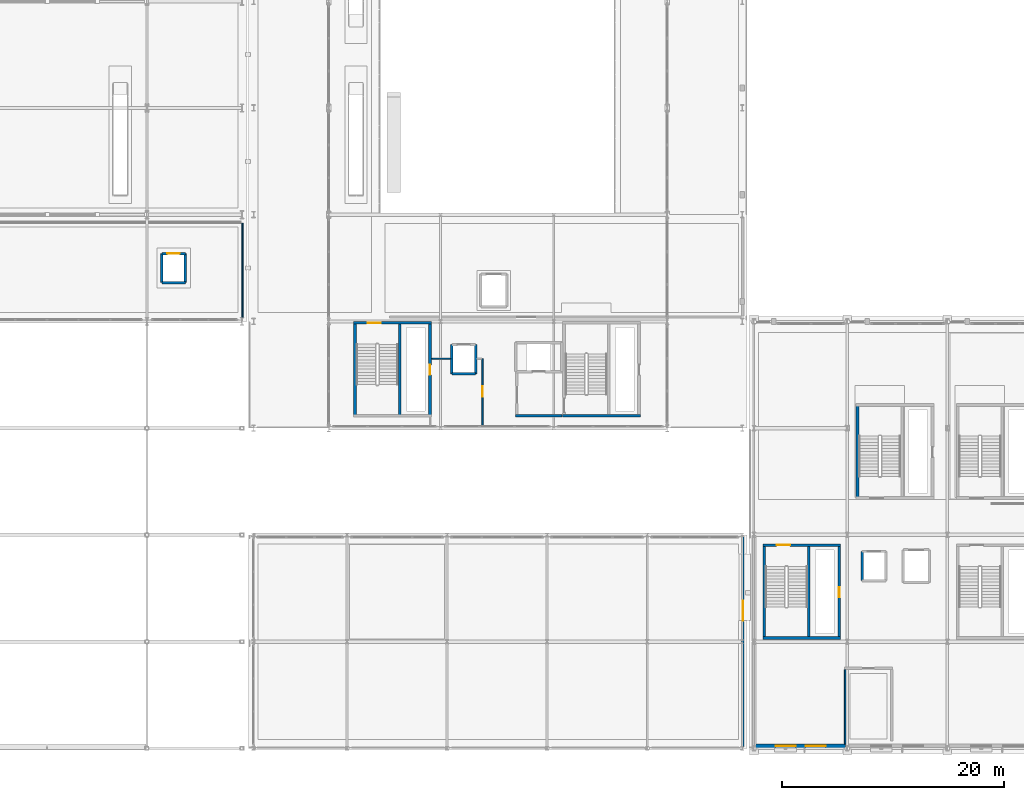
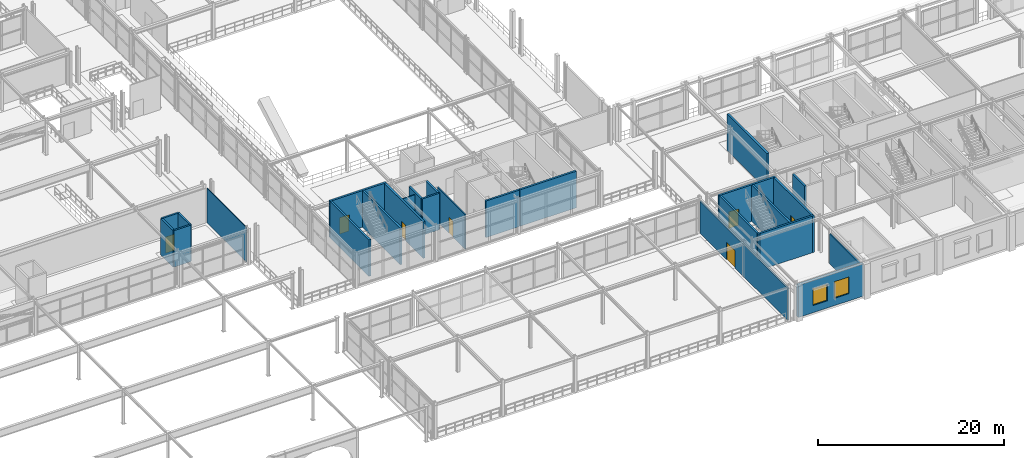
# One storey, part 74 of 125: 26 walls, 7 doors, 2 windows, 9 openings.
"""IFC4 building model written with IfcOpenShell, lengths in metres."""

from ifc_helpers import new_model, si_unit, direction, frame, frame_2d, origin, place, context, subcontext, project, spatial, rectangle, extrude, material, layer, layer_set, type_object, element, fill, save


model = new_model("IFC4")

# Units and contexts
model_context = context("Model", 3, precision=1e-05, world=origin(), true_north=direction((0.0, 1.0)))
body_context = subcontext(model_context, "Body", "Model", "MODEL_VIEW")
ifc_project = project(units=[si_unit("LENGTHUNIT", "METRE"), si_unit("AREAUNIT", "SQUARE_METRE"), si_unit("VOLUMEUNIT", "CUBIC_METRE"), si_unit("PLANEANGLEUNIT", "RADIAN"), si_unit("MASSUNIT", "GRAM", prefix="KILO")], contexts=[model_context])

# Site, building, storey
site_placement = place(None, origin())
site = spatial("IfcSite", under=ifc_project, at=site_placement, CompositionType="ELEMENT")
building_placement = place(site_placement, origin())
building = spatial("IfcBuilding", under=site, at=building_placement, Name="Myrtia Square Station", CompositionType="ELEMENT")
storey_placement = place(building_placement, frame((0.0, 0.0, 6.0)))
storey = spatial("IfcBuildingStorey", under=building, at=storey_placement, Name="L01", CompositionType="ELEMENT", Elevation=6.0)

# Wall, opening, door
ifc_material_1 = material(Name="Concrete C35/45", Category="concrete")
ifc_layer_1 = layer(ifc_material_1, 0.25, Name="Concrete C35/45")
ifc_layer_set_1 = layer_set([ifc_layer_1], Name="Concrete C35/45")
wall_type_1 = type_object("IfcWallType", Name="WL-CORE-250", PredefinedType="SHEAR", material=ifc_layer_set_1)
wall_1_placement = place(storey_placement, frame((81.60009765625, 38.27490234375, 0.0), z_axis=(0.0, 0.0, 1.0), x_axis=(1.0, 0.0, 0.0)))
wall_1 = element("IfcWall", 1, at=wall_1_placement, inside=storey, type_object=wall_type_1, Name="Core K1 shear wall L01 N", PredefinedType="SHEAR", context=body_context, shape_type="SweptSolid", body=[
    extrude(rectangle(XDim=7.0, YDim=0.25, at=frame_2d((3.5, 0.0))), origin(), (0.0, 0.0, 1.0), 4.800048828125),
])
opening_1_placement = place(wall_1_placement, frame((1.25, 0.0, 0.0)))
opening_1 = element("IfcOpeningElement", 2, at=opening_1_placement, cuts=wall_1, Name="Opening SD-005", PredefinedType="OPENING", context=body_context, shape_type="SweptSolid", body=[
    extrude(rectangle(XDim=1.199951171875, YDim=2.14990234375, at=frame_2d((0.60009765625, 1.074951171875))), frame((0.0, 0.139892578125, 0.0), z_axis=(0.0, -1.0, 0.0), x_axis=(1.0, 0.0, 0.0)), (0.0, 0.0, 1.0), 0.280029296875),
])
ifc_material_2 = material(Name="Dark bronze anodised aluminium", Category="aluminium")
door_type_1 = type_object("IfcDoorType", Name="DR-STAIR-1200x2150", OperationType="NOTDEFINED", PredefinedType="DOOR", material=ifc_material_2)
door_1_placement = place(opening_1_placement, frame((1.199951171875, 0.0, 0.0), z_axis=(0.0, 0.0, 1.0), x_axis=(-1.0, 0.0, 0.0)))
door_1 = element("IfcDoor", 3, at=door_1_placement, inside=storey, type_object=door_type_1, Name="Protected stair fire door K1 L01", OperationType="SINGLE_SWING_LEFT", OverallHeight=2.14990234375, OverallWidth=1.199951171875, PredefinedType="DOOR", context=body_context, shape_type="SweptSolid", body=[
    extrude(rectangle(XDim=1.199951171875, YDim=2.14990234375, at=frame_2d((0.60009765625, 1.074951171875))), frame((0.0, 0.02490234375, 0.0), z_axis=(0.0, -1.0, 0.0), x_axis=(1.0, 0.0, 0.0)), (0.0, 0.0, 1.0), 0.050048828125),
])
fill(opening_1, door_1)

# Wall
wall_2_placement = place(storey_placement, frame((81.72509765625, 29.800048828125, 0.0), z_axis=(0.0, 0.0, 1.0), x_axis=(0.0, 1.0, 0.0)))
element("IfcWall", 4, at=wall_2_placement, inside=storey, type_object=wall_type_1, Name="Core K1 shear wall L01 W", PredefinedType="SHEAR", context=body_context, shape_type="SweptSolid", body=[
    extrude(rectangle(XDim=8.599853515625, YDim=0.25, at=frame_2d((4.2998046875, 0.0))), origin(), (0.0, 0.0, 1.0), 4.800048828125),
])

# Wall, opening, door
wall_3_placement = place(storey_placement, frame((88.47509765625, 29.800048828125, 0.0), z_axis=(0.0, 0.0, 1.0), x_axis=(0.0, 1.0, 0.0)))
wall_3 = element("IfcWall", 5, at=wall_3_placement, inside=storey, type_object=wall_type_1, Name="Core K1 shear wall L01 E", PredefinedType="SHEAR", context=body_context, shape_type="SweptSolid", body=[
    extrude(rectangle(XDim=8.599853515625, YDim=0.25, at=frame_2d((4.2998046875, 0.0))), origin(), (0.0, 0.0, 1.0), 4.800048828125),
])
opening_2_placement = place(wall_3_placement, frame((3.800048828125, 0.0, 0.0)))
opening_2 = element("IfcOpeningElement", 6, at=opening_2_placement, cuts=wall_3, Name="Opening RD-006", PredefinedType="OPENING", context=body_context, shape_type="SweptSolid", body=[
    extrude(rectangle(XDim=0.89990234375, YDim=2.050048828125, at=frame_2d((0.449951171875, 1.02490234375))), frame((0.0, 0.139892578125, 0.0), z_axis=(0.0, -1.0, 0.0), x_axis=(1.0, 0.0, 0.0)), (0.0, 0.0, 1.0), 0.280029296875),
])
door_type_2 = type_object("IfcDoorType", Name="DR-RISER-900x2050", OperationType="NOTDEFINED", PredefinedType="DOOR", material=ifc_material_2)
door_2_placement = place(opening_2_placement, origin())
door_2 = element("IfcDoor", 7, at=door_2_placement, inside=storey, type_object=door_type_2, Name="Riser cupboard access door K1 L01", OperationType="SINGLE_SWING_RIGHT", OverallHeight=2.050048828125, OverallWidth=0.89990234375, PredefinedType="DOOR", context=body_context, shape_type="SweptSolid", body=[
    extrude(rectangle(XDim=0.89990234375, YDim=2.050048828125, at=frame_2d((0.449951171875, 1.02490234375))), frame((0.0, 0.02490234375, 0.0), z_axis=(0.0, -1.0, 0.0), x_axis=(1.0, 0.0, 0.0)), (0.0, 0.0, 1.0), 0.050048828125),
])
fill(opening_2, door_2)

# Walls
wall_4_placement = place(storey_placement, frame((85.739990234375, 30.0, 0.0), z_axis=(0.0, 0.0, 1.0), x_axis=(0.0, 1.0, 0.0)))
element("IfcWall", 8, at=wall_4_placement, inside=storey, type_object=wall_type_1, Name="Core K1 shear wall L01 D", PredefinedType="SHEAR", context=body_context, shape_type="SweptSolid", body=[
    extrude(rectangle(XDim=8.199951171875, YDim=0.25, at=frame_2d((4.10009765625, 0.0))), origin(), (0.0, 0.0, 1.0), 4.800048828125),
])
for number, where, z_axis, x_axis, name in (
    (9, (100.39990234375, 29.925048828125, 0.0), (0.0, 0.0, 1.0), (1.0, 0.0, 0.0), "Core K3 shear wall L01 S"),
    (10, (118.39990234375, 9.925048828125, 0.0), (0.0, 0.0, 1.0), (1.0, 0.0, 0.0), "Core K5 shear wall L01 S"),
):
    element("IfcWall", number, at=place(storey_placement, frame(where, z_axis=z_axis, x_axis=x_axis)), inside=storey, type_object=wall_type_1, Name=name, PredefinedType="SHEAR", context=body_context, shape_type="SweptSolid", body=[
        extrude(rectangle(XDim=7.0, YDim=0.25, at=frame_2d((3.5, 0.0))), origin(), (0.0, 0.0, 1.0), 4.800048828125),
    ])

# Wall, opening, door
wall_5_placement = place(storey_placement, frame((118.39990234375, 18.27490234375, 0.0), z_axis=(0.0, 0.0, 1.0), x_axis=(1.0, 0.0, 0.0)))
wall_5 = element("IfcWall", 11, at=wall_5_placement, inside=storey, type_object=wall_type_1, Name="Core K5 shear wall L01 N", PredefinedType="SHEAR", context=body_context, shape_type="SweptSolid", body=[
    extrude(rectangle(XDim=7.0, YDim=0.25, at=frame_2d((3.5, 0.0))), origin(), (0.0, 0.0, 1.0), 4.800048828125),
])
opening_3_placement = place(wall_5_placement, frame((1.25, 0.0, 0.0)))
opening_3 = element("IfcOpeningElement", 12, at=opening_3_placement, cuts=wall_5, Name="Opening SD-055", PredefinedType="OPENING", context=body_context, shape_type="SweptSolid", body=[
    extrude(rectangle(XDim=1.199951171875, YDim=2.14990234375, at=frame_2d((0.60009765625, 1.074951171875))), frame((0.0, 0.139892578125, 0.0), z_axis=(0.0, -1.0, 0.0), x_axis=(1.0, 0.0, 0.0)), (0.0, 0.0, 1.0), 0.280029296875),
])
door_3_placement = place(opening_3_placement, frame((1.199951171875, 0.0, 0.0), z_axis=(0.0, 0.0, 1.0), x_axis=(-1.0, 0.0, 0.0)))
door_3 = element("IfcDoor", 13, at=door_3_placement, inside=storey, type_object=door_type_1, Name="Protected stair fire door K5 L01", OperationType="SINGLE_SWING_LEFT", OverallHeight=2.14990234375, OverallWidth=1.199951171875, PredefinedType="DOOR", context=body_context, shape_type="SweptSolid", body=[
    extrude(rectangle(XDim=1.199951171875, YDim=2.14990234375, at=frame_2d((0.60009765625, 1.074951171875))), frame((0.0, 0.02490234375, 0.0), z_axis=(0.0, -1.0, 0.0), x_axis=(1.0, 0.0, 0.0)), (0.0, 0.0, 1.0), 0.050048828125),
])
fill(opening_3, door_3)

# Wall
wall_6_placement = place(storey_placement, frame((118.52490234375, 9.800048828125, 0.0), z_axis=(0.0, 0.0, 1.0), x_axis=(0.0, 1.0, 0.0)))
element("IfcWall", 14, at=wall_6_placement, inside=storey, type_object=wall_type_1, Name="Core K5 shear wall L01 W", PredefinedType="SHEAR", context=body_context, shape_type="SweptSolid", body=[
    extrude(rectangle(XDim=8.599853515625, YDim=0.25, at=frame_2d((4.2998046875, 0.0))), origin(), (0.0, 0.0, 1.0), 4.800048828125),
])

# Wall, opening, door
wall_7_placement = place(storey_placement, frame((125.27490234375, 9.800048828125, 0.0), z_axis=(0.0, 0.0, 1.0), x_axis=(0.0, 1.0, 0.0)))
wall_7 = element("IfcWall", 15, at=wall_7_placement, inside=storey, type_object=wall_type_1, Name="Core K5 shear wall L01 E", PredefinedType="SHEAR", context=body_context, shape_type="SweptSolid", body=[
    extrude(rectangle(XDim=8.599853515625, YDim=0.25, at=frame_2d((4.2998046875, 0.0))), origin(), (0.0, 0.0, 1.0), 4.800048828125),
])
opening_4_placement = place(wall_7_placement, frame((3.800048828125, 0.0, 0.0)))
opening_4 = element("IfcOpeningElement", 16, at=opening_4_placement, cuts=wall_7, Name="Opening RD-056", PredefinedType="OPENING", context=body_context, shape_type="SweptSolid", body=[
    extrude(rectangle(XDim=0.89990234375, YDim=2.050048828125, at=frame_2d((0.449951171875, 1.02490234375))), frame((0.0, 0.139892578125, 0.0), z_axis=(0.0, -1.0, 0.0), x_axis=(1.0, 0.0, 0.0)), (0.0, 0.0, 1.0), 0.280029296875),
])
door_4_placement = place(opening_4_placement, origin())
door_4 = element("IfcDoor", 17, at=door_4_placement, inside=storey, type_object=door_type_2, Name="Riser cupboard access door K5 L01", OperationType="SINGLE_SWING_RIGHT", OverallHeight=2.050048828125, OverallWidth=0.89990234375, PredefinedType="DOOR", context=body_context, shape_type="SweptSolid", body=[
    extrude(rectangle(XDim=0.89990234375, YDim=2.050048828125, at=frame_2d((0.449951171875, 1.02490234375))), frame((0.0, 0.02490234375, 0.0), z_axis=(0.0, -1.0, 0.0), x_axis=(1.0, 0.0, 0.0)), (0.0, 0.0, 1.0), 0.050048828125),
])
fill(opening_4, door_4)

# Walls
wall_8_placement = place(storey_placement, frame((122.5400390625, 10.0, 0.0), z_axis=(0.0, 0.0, 1.0), x_axis=(0.0, 1.0, 0.0)))
element("IfcWall", 18, at=wall_8_placement, inside=storey, type_object=wall_type_1, Name="Core K5 shear wall L01 D", PredefinedType="SHEAR", context=body_context, shape_type="SweptSolid", body=[
    extrude(rectangle(XDim=8.199951171875, YDim=0.25, at=frame_2d((4.10009765625, 0.0))), origin(), (0.0, 0.0, 1.0), 4.800048828125),
])
wall_9_placement = place(storey_placement, frame((126.925048828125, 22.39990234375, 0.0), z_axis=(0.0, 0.0, 1.0), x_axis=(0.0, 1.0, 0.0)))
element("IfcWall", 19, at=wall_9_placement, inside=storey, type_object=wall_type_1, Name="Core K10 shear wall L01 W", PredefinedType="SHEAR", context=body_context, shape_type="SweptSolid", body=[
    extrude(rectangle(XDim=8.60009765625, YDim=0.25, at=frame_2d((4.300048828125, 0.0))), origin(), (0.0, 0.0, 1.0), 4.800048828125),
])

# Wall, openings, windows
ifc_material_3 = material(Name="Cream lime stucco on clay brick masonry", Category="masonry")
ifc_layer_2 = layer(ifc_material_3, 0.360107421875, Name="Cream lime stucco on clay brick masonry")
ifc_layer_set_2 = layer_set([ifc_layer_2], Name="Cream lime stucco on clay brick masonry")
wall_type_2 = type_object("IfcWallType", Name="WL-EXT-STUCCO-360", PredefinedType="SOLIDWALL", material=ifc_layer_set_2)
wall_10_placement = place(storey_placement, frame((117.7548828125, 0.199951171875, 0.0), z_axis=(0.0, 0.0, 1.0), x_axis=(1.0, 0.0, 0.0)))
wall_10 = element("IfcWall", 20, at=wall_10_placement, inside=storey, type_object=wall_type_2, Name="Exterior envelope wall EW-L01-0047", PredefinedType="SOLIDWALL", context=body_context, shape_type="SweptSolid", body=[
    extrude(rectangle(XDim=8.090087890625, YDim=0.360107421875, at=frame_2d((4.044921875, 0.0))), origin(), (0.0, 0.0, 1.0), 4.22998046875),
])
opening_5_placement = place(wall_10_placement, frame((1.797119140625, 0.0, 0.949951171875)))
opening_5 = element("IfcOpeningElement", 21, at=opening_5_placement, cuts=wall_10, Name="Opening WN-035", PredefinedType="OPENING", context=body_context, shape_type="SweptSolid", body=[
    extrude(rectangle(XDim=1.800048828125, YDim=2.199951171875, at=frame_2d((0.89990234375, 1.10009765625))), frame((0.0, 0.195068359375, 0.0), z_axis=(0.0, -1.0, 0.0), x_axis=(1.0, 0.0, 0.0)), (0.0, 0.0, 1.0), 0.39013671875),
])
opening_6_placement = place(wall_10_placement, frame((4.492919921875, 0.0, 0.949951171875)))
opening_6 = element("IfcOpeningElement", 22, at=opening_6_placement, cuts=wall_10, Name="Opening WN-036", PredefinedType="OPENING", context=body_context, shape_type="SweptSolid", body=[
    extrude(rectangle(XDim=1.800048828125, YDim=2.199951171875, at=frame_2d((0.89990234375, 1.10009765625))), frame((0.0, 0.195068359375, 0.0), z_axis=(0.0, -1.0, 0.0), x_axis=(1.0, 0.0, 0.0)), (0.0, 0.0, 1.0), 0.39013671875),
])
ifc_material_4 = material(Name="Tinted low-E solar control glass", Category="glass")
window_type = type_object("IfcWindowType", Name="WN-PAIR-1800x2200", PartitioningType="SINGLE_PANEL", PredefinedType="WINDOW", material=ifc_material_4)
window_1_placement = place(opening_5_placement, origin())
window_1 = element("IfcWindow", 23, at=window_1_placement, inside=storey, type_object=window_type, Name="Window WN-035", OverallHeight=2.199951171875, OverallWidth=1.800048828125, PartitioningType="SINGLE_PANEL", PredefinedType="WINDOW", context=body_context, shape_type="SweptSolid", body=[
    extrude(rectangle(XDim=1.800048828125, YDim=2.199951171875, at=frame_2d((0.89990234375, 1.10009765625))), frame((0.0, 0.030029296875, 0.0), z_axis=(0.0, -1.0, 0.0), x_axis=(1.0, 0.0, 0.0)), (0.0, 0.0, 1.0), 0.06005859375),
])
fill(opening_5, window_1)
window_2_placement = place(opening_6_placement, origin())
window_2 = element("IfcWindow", 24, at=window_2_placement, inside=storey, type_object=window_type, Name="Window WN-036", OverallHeight=2.199951171875, OverallWidth=1.800048828125, PartitioningType="SINGLE_PANEL", PredefinedType="WINDOW", context=body_context, shape_type="SweptSolid", body=[
    extrude(rectangle(XDim=1.800048828125, YDim=2.199951171875, at=frame_2d((0.89990234375, 1.10009765625))), frame((0.0, 0.030029296875, 0.0), z_axis=(0.0, -1.0, 0.0), x_axis=(1.0, 0.0, 0.0)), (0.0, 0.0, 1.0), 0.06005859375),
])
fill(opening_6, window_2)

# Walls
ifc_layer_3 = layer(ifc_material_1, 0.239990234375, Name="Concrete C35/45")
ifc_layer_set_3 = layer_set([ifc_layer_3], Name="Concrete C35/45")
wall_type_3 = type_object("IfcWallType", Name="WL-FFL-240", PredefinedType="SHEAR", material=ifc_layer_set_3)
wall_11_placement = place(storey_placement, frame((96.14990234375, 29.919921875, 0.0), z_axis=(0.0, 0.0, 1.0), x_axis=(1.0, 0.0, 0.0)))
element("IfcWall", 25, at=wall_11_placement, inside=storey, type_object=wall_type_3, Name="Firefighting lift lobby EI 120 wall K3 L01 S", PredefinedType="SHEAR", context=body_context, shape_type="SweptSolid", body=[
    extrude(rectangle(XDim=4.2001953125, YDim=0.239990234375, at=frame_2d((2.10009765625, 0.0))), origin(), (0.0, 0.0, 1.0), 4.800048828125),
])
ifc_layer_4 = layer(ifc_material_1, 0.219970703125, Name="Concrete C35/45")
ifc_layer_set_4 = layer_set([ifc_layer_4], Name="Concrete C35/45")
wall_type_4 = type_object("IfcWallType", Name="WL-LIFT-220", PredefinedType="SHEAR", material=ifc_layer_set_4)
wall_12_placement = place(storey_placement, frame((64.340087890625, 41.889892578125, 0.0), z_axis=(0.0, 0.0, 1.0), x_axis=(1.0, 0.0, 0.0)))
element("IfcWall", 26, at=wall_12_placement, inside=storey, type_object=wall_type_4, Name="Lift shaft wall PL-04 L01 -Y", PredefinedType="SHEAR", context=body_context, shape_type="SweptSolid", body=[
    extrude(rectangle(XDim=2.119873046875, YDim=0.219970703125, at=frame_2d((1.06005859375, 0.0))), origin(), (0.0, 0.0, 1.0), 4.800048828125),
])

# Wall, opening, door
wall_13_placement = place(storey_placement, frame((64.340087890625, 44.510009765625, 0.0), z_axis=(0.0, 0.0, 1.0), x_axis=(1.0, 0.0, 0.0)))
wall_13 = element("IfcWall", 27, at=wall_13_placement, inside=storey, type_object=wall_type_4, Name="Lift shaft wall PL-04 L01 +Y", PredefinedType="SHEAR", context=body_context, shape_type="SweptSolid", body=[
    extrude(rectangle(XDim=2.119873046875, YDim=0.219970703125, at=frame_2d((1.06005859375, 0.0))), origin(), (0.0, 0.0, 1.0), 4.800048828125),
])
opening_7_placement = place(wall_13_placement, frame((0.510009765625, 0.0, 0.0)))
opening_7 = element("IfcOpeningElement", 28, at=opening_7_placement, cuts=wall_13, Name="Opening LD-PL-04", PredefinedType="OPENING", context=body_context, shape_type="SweptSolid", body=[
    extrude(rectangle(XDim=1.10009765625, YDim=2.14990234375, at=frame_2d((0.550048828125, 1.074951171875))), frame((0.0, 0.125, 0.0), z_axis=(0.0, -1.0, 0.0), x_axis=(1.0, 0.0, 0.0)), (0.0, 0.0, 1.0), 0.25),
])
door_type_3 = type_object("IfcDoorType", Name="DR-LIFT-1100x2150", OperationType="NOTDEFINED", PredefinedType="DOOR", material=ifc_material_2)
door_5_placement = place(opening_7_placement, origin())
door_5 = element("IfcDoor", 29, at=door_5_placement, inside=storey, type_object=door_type_3, Name="Lift landing door PL-04 L01", OperationType="SLIDING_TO_RIGHT", OverallHeight=2.14990234375, OverallWidth=1.10009765625, PredefinedType="DOOR", context=body_context, shape_type="SweptSolid", body=[
    extrude(rectangle(XDim=1.10009765625, YDim=2.14990234375, at=frame_2d((0.550048828125, 1.074951171875))), frame((0.0, 0.02490234375, 0.0), z_axis=(0.0, -1.0, 0.0), x_axis=(1.0, 0.0, 0.0)), (0.0, 0.0, 1.0), 0.050048828125),
])
fill(opening_7, door_5)

# Walls
for number, where, z_axis, x_axis, name in (
    (30, (64.340087890625, 41.889892578125, 0.0), (0.0, 0.0, 1.0), (0.0, 1.0, 0.0), "Lift shaft wall PL-04 L01 -X"),
    (31, (66.4599609375, 41.889892578125, 0.0), (0.0, 0.0, 1.0), (0.0, 1.0, 0.0), "Lift shaft wall PL-04 L01 +X"),
):
    element("IfcWall", number, at=place(storey_placement, frame(where, z_axis=z_axis, x_axis=x_axis)), inside=storey, type_object=wall_type_4, Name=name, PredefinedType="SHEAR", context=body_context, shape_type="SweptSolid", body=[
        extrude(rectangle(XDim=2.6201171875, YDim=0.219970703125, at=frame_2d((1.31005859375, 0.0))), origin(), (0.0, 0.0, 1.0), 4.800048828125),
    ])
wall_14_placement = place(storey_placement, frame((90.43994140625, 33.68994140625, 0.0), z_axis=(0.0, 0.0, 1.0), x_axis=(1.0, 0.0, 0.0)))
element("IfcWall", 32, at=wall_14_placement, inside=storey, type_object=wall_type_4, Name="Lift shaft wall PL-05 L01 -Y", PredefinedType="SHEAR", context=body_context, shape_type="SweptSolid", body=[
    extrude(rectangle(XDim=2.1201171875, YDim=0.219970703125, at=frame_2d((1.06005859375, 0.0))), origin(), (0.0, 0.0, 1.0), 4.800048828125),
])
for number, where, z_axis, x_axis, name in (
    (33, (90.43994140625, 33.68994140625, 0.0), (0.0, 0.0, 1.0), (0.0, 1.0, 0.0), "Lift shaft wall PL-05 L01 -X"),
    (34, (92.56005859375, 33.68994140625, 0.0), (0.0, 0.0, 1.0), (0.0, 1.0, 0.0), "Lift shaft wall PL-05 L01 +X"),
):
    element("IfcWall", number, at=place(storey_placement, frame(where, z_axis=z_axis, x_axis=x_axis)), inside=storey, type_object=wall_type_4, Name=name, PredefinedType="SHEAR", context=body_context, shape_type="SweptSolid", body=[
        extrude(rectangle(XDim=2.6201171875, YDim=0.219970703125, at=frame_2d((1.31005859375, 0.0))), origin(), (0.0, 0.0, 1.0), 4.800048828125),
    ])
wall_15_placement = place(storey_placement, frame((127.340087890625, 15.090087890625, 0.0), z_axis=(0.0, 0.0, 1.0), x_axis=(0.0, 1.0, 0.0)))
element("IfcWall", 35, at=wall_15_placement, inside=storey, type_object=wall_type_4, Name="Lift shaft wall PL-07 L01 -X", PredefinedType="SHEAR", context=body_context, shape_type="SweptSolid", body=[
    extrude(rectangle(XDim=2.619873046875, YDim=0.219970703125, at=frame_2d((1.31005859375, 0.0))), origin(), (0.0, 0.0, 1.0), 4.800048828125),
])
ifc_material_5 = material(Name="Gypsum plasterboard")
ifc_layer_5 = layer(ifc_material_5, 0.10009765625, Name="Gypsum plasterboard")
ifc_layer_set_5 = layer_set([ifc_layer_5], Name="Gypsum plasterboard")
wall_type_5 = type_object("IfcWallType", Name="WL-PART-100", PredefinedType="PARTITIONING", material=ifc_layer_set_5)
wall_16_placement = place(storey_placement, frame((71.60009765625, 38.7548828125, 0.0), z_axis=(0.0, 0.0, 1.0), x_axis=(0.0, 1.0, 0.0)))
element("IfcWall", 36, at=wall_16_placement, inside=storey, type_object=wall_type_5, Name="Room divider partition L01-02", PredefinedType="PARTITIONING", context=body_context, shape_type="SweptSolid", body=[
    extrude(rectangle(XDim=8.490234375, YDim=0.10009765625, at=frame_2d((4.2451171875, 0.0))), origin(), (0.0, 0.0, 1.0), 4.530029296875),
])
wall_17_placement = place(storey_placement, frame((88.6298828125, 35.050048828125, 0.0), z_axis=(0.0, 0.0, 1.0), x_axis=(1.0, 0.0, 0.0)))
element("IfcWall", 37, at=wall_17_placement, inside=storey, type_object=wall_type_5, Name="Sanitary enclosure partition L01-08", PredefinedType="PARTITIONING", context=body_context, shape_type="SweptSolid", body=[
    extrude(rectangle(XDim=1.690185546875, YDim=0.10009765625, at=frame_2d((0.84521484375, 0.0))), origin(), (0.0, 0.0, 1.0), 4.530029296875),
])

# Wall, opening, door
ifc_layer_6 = layer(ifc_material_5, 0.125, Name="Gypsum plasterboard")
ifc_layer_set_6 = layer_set([ifc_layer_6], Name="Gypsum plasterboard")
wall_type_6 = type_object("IfcWallType", Name="WL-PART-125", PredefinedType="PARTITIONING", material=ifc_layer_set_6)
wall_18_placement = place(storey_placement, frame((93.199951171875, 29.034912109375, 0.0), z_axis=(0.0, 0.0, 1.0), x_axis=(0.0, 1.0, 0.0)))
wall_18 = element("IfcWall", 38, at=wall_18_placement, inside=storey, type_object=wall_type_6, Name="Interior partition wall L01-08", PredefinedType="PARTITIONING", context=body_context, shape_type="SweptSolid", body=[
    extrude(rectangle(XDim=6.01513671875, YDim=0.125, at=frame_2d((3.007568359375, 0.0))), origin(), (0.0, 0.0, 1.0), 4.530029296875),
])
opening_8_placement = place(wall_18_placement, frame((2.590087890625, 0.0, 0.0)))
opening_8 = element("IfcOpeningElement", 39, at=opening_8_placement, cuts=wall_18, Name="Opening D-240", PredefinedType="OPENING", context=body_context, shape_type="SweptSolid", body=[
    extrude(rectangle(XDim=0.949951171875, YDim=2.10009765625, at=frame_2d((0.47509765625, 1.050048828125))), frame((0.0, 0.077392578125, 0.0), z_axis=(0.0, -1.0, 0.0), x_axis=(1.0, 0.0, 0.0)), (0.0, 0.0, 1.0), 0.155029296875),
])
ifc_material_6 = material(Name="Acoustic European oak timber", Category="wood")
door_type_4 = type_object("IfcDoorType", Name="DR-WC-950x2100", OperationType="NOTDEFINED", PredefinedType="DOOR", material=ifc_material_6)
door_6_placement = place(opening_8_placement, frame((0.949951171875, 0.0, 0.0), z_axis=(0.0, 0.0, 1.0), x_axis=(-1.0, 0.0, 0.0)))
door_6 = element("IfcDoor", 40, at=door_6_placement, inside=storey, type_object=door_type_4, Name="Departure Concourse Sanitary and Accessible WC door D-240", OperationType="SINGLE_SWING_LEFT", OverallHeight=2.10009765625, OverallWidth=0.949951171875, PredefinedType="DOOR", context=body_context, shape_type="SweptSolid", body=[
    extrude(rectangle(XDim=0.949951171875, YDim=2.10009765625, at=frame_2d((0.47509765625, 1.050048828125))), frame((0.0, 0.02490234375, 0.0), z_axis=(0.0, -1.0, 0.0), x_axis=(1.0, 0.0, 0.0)), (0.0, 0.0, 1.0), 0.050048828125),
])
fill(opening_8, door_6)

# Wall
ifc_layer_7 = layer(ifc_material_5, 0.14990234375, Name="Gypsum plasterboard")
ifc_layer_set_7 = layer_set([ifc_layer_7], Name="Gypsum plasterboard")
wall_type_7 = type_object("IfcWallType", Name="WL-PART-150", PredefinedType="PARTITIONING", material=ifc_layer_set_7)
wall_19_placement = place(storey_placement, frame((125.800048828125, 0.389892578125, 0.0), z_axis=(0.0, 0.0, 1.0), x_axis=(0.0, 1.0, 0.0)))
element("IfcWall", 41, at=wall_19_placement, inside=storey, type_object=wall_type_7, Name="Sanitary enclosure partition L01-14", PredefinedType="PARTITIONING", context=body_context, shape_type="SweptSolid", body=[
    extrude(rectangle(XDim=6.7001953125, YDim=0.14990234375, at=frame_2d((3.35009765625, 0.0))), origin(), (0.0, 0.0, 1.0), 3.929931640625),
])

# Wall, opening, door
ifc_layer_8 = layer(ifc_material_3, 0.199951171875, Name="Cream lime stucco on clay brick masonry")
ifc_layer_set_8 = layer_set([ifc_layer_8], Name="Cream lime stucco on clay brick masonry")
wall_type_8 = type_object("IfcWallType", Name="WL-PART-200", PredefinedType="PARTITIONING", material=ifc_layer_set_8)
wall_20_placement = place(storey_placement, frame((116.60009765625, 0.155029296875, 0.0), z_axis=(0.0, 0.0, 1.0), x_axis=(0.0, 1.0, 0.0)))
wall_20 = element("IfcWall", 42, at=wall_20_placement, inside=storey, type_object=wall_type_8, Name="Interior partition wall L01-09", PredefinedType="PARTITIONING", context=body_context, shape_type="SweptSolid", body=[
    extrude(rectangle(XDim=18.889892578125, YDim=0.199951171875, at=frame_2d((9.44482421875, 0.0))), origin(), (0.0, 0.0, 1.0), 4.215087890625),
])
opening_9_placement = place(wall_20_placement, frame((11.344970703125, 0.0, 0.0)))
opening_9 = element("IfcOpeningElement", 43, at=opening_9_placement, cuts=wall_20, Name="Opening D-241", PredefinedType="OPENING", context=body_context, shape_type="SweptSolid", body=[
    extrude(rectangle(XDim=1.800048828125, YDim=2.300048828125, at=frame_2d((0.89990234375, 1.14990234375))), frame((0.0, 0.114990234375, 0.0), z_axis=(0.0, -1.0, 0.0), x_axis=(1.0, 0.0, 0.0)), (0.0, 0.0, 1.0), 0.22998046875),
])
door_type_5 = type_object("IfcDoorType", Name="DR-CORR-1800x2300", OperationType="NOTDEFINED", PredefinedType="DOOR", material=ifc_material_2)
door_7_placement = place(opening_9_placement, frame((1.800048828125, 0.0, 0.0), z_axis=(0.0, 0.0, 1.0), x_axis=(-1.0, 0.0, 0.0)))
door_7 = element("IfcDoor", 44, at=door_7_placement, inside=storey, type_object=door_type_5, Name="Patio Mezzanine Coffee Lounge door D-241", OperationType="DOUBLE_DOOR_SINGLE_SWING", OverallHeight=2.300048828125, OverallWidth=1.800048828125, PredefinedType="DOOR", context=body_context, shape_type="SweptSolid", body=[
    extrude(rectangle(XDim=1.800048828125, YDim=2.300048828125, at=frame_2d((0.89990234375, 1.14990234375))), frame((0.0, 0.02490234375, 0.0), z_axis=(0.0, -1.0, 0.0), x_axis=(1.0, 0.0, 0.0)), (0.0, 0.0, 1.0), 0.050048828125),
])
fill(opening_9, door_7)

save(model, "model.ifc")
